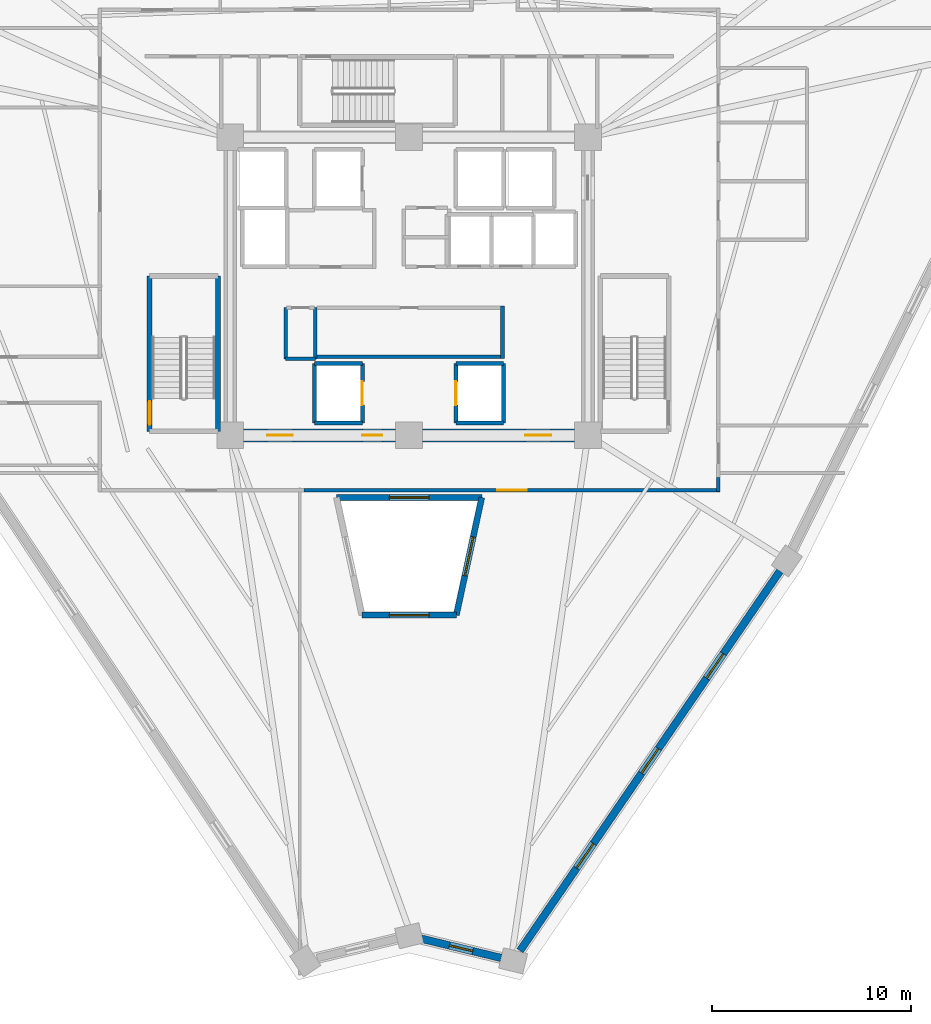
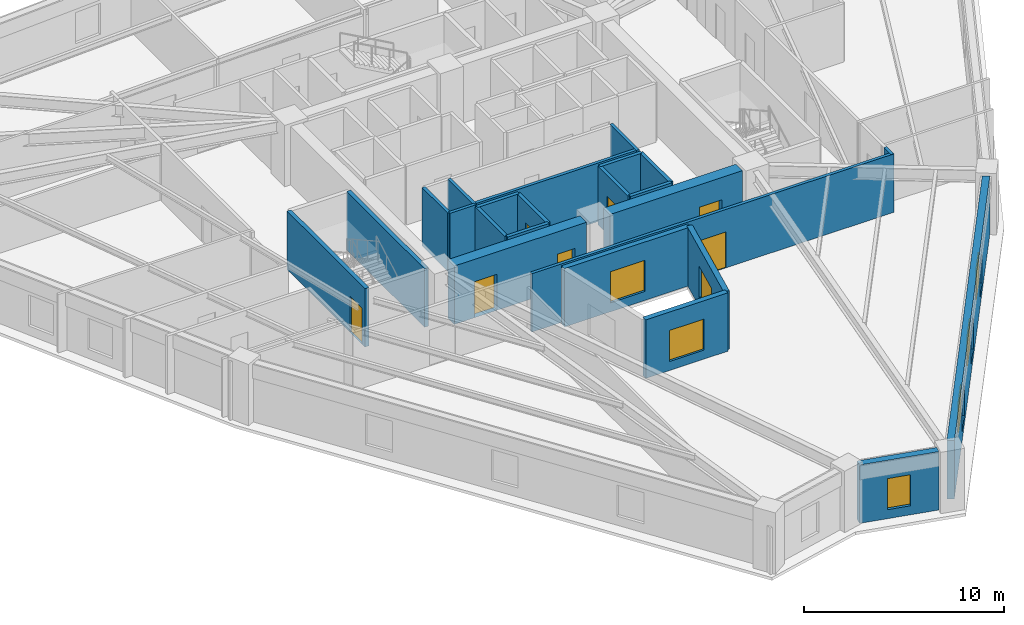
# One storey, part 3 of 8: 24 walls, 7 doors, 7 windows, 14 openings.
"""IFC4 building model written with IfcOpenShell, lengths in metres."""

import ifcopenshell
import ifcopenshell.guid

model = None  # the IFC model being written
_history = None  # IfcOwnerHistory: only IFC2X3 demands one
_inside = {}  # id of a spatial element -> (the spatial element, [elements in it])
_under = {}  # id of a project, library or spatial element -> (it, [spatial elements below it])
_declared = {}  # id of a project -> (the project, [libraries it declares])
_typed = {}  # id of a type object -> (the type object, [elements of that type])
_made_of = {}  # id of a material, layer set ... -> (it, [elements and type objects made of it])


def new_model(schema):
    """Start an empty IFC model of exactly this schema.

    Asked for "IFC4X3", IfcOpenShell would pick the latest addendum, in which some entities
    have other attributes; the version numbers below select the first issue.
    IFC2X3 requires an IfcOwnerHistory on every rooted entity: one is made here for all.
    """
    global model, _history
    if schema == "IFC4X3":
        model = ifcopenshell.file(schema_version=(4, 3, 0, 0))
    else:
        model = ifcopenshell.file(schema=schema)
    _inside.clear()
    _under.clear()
    _declared.clear()
    _typed.clear()
    _made_of.clear()
    _history = None
    if model.schema == "IFC2X3":
        org = make("IfcOrganization", Name="unknown")
        user = make(
            "IfcPersonAndOrganization",
            ThePerson=make("IfcPerson", FamilyName="unknown"),
            TheOrganization=org,
        )
        app = make(
            "IfcApplication",
            ApplicationDeveloper=org,
            Version="unknown",
            ApplicationFullName="unknown",
            ApplicationIdentifier="unknown",
        )
        _history = make(
            "IfcOwnerHistory",
            OwningUser=user,
            OwningApplication=app,
            ChangeAction="ADDED",
            CreationDate=0,
        )
    return model


def make(cls, **values):
    """One entity of the class cls with the attributes given. An attribute that is None is left unset."""
    return model.create_entity(
        cls, **{name: value for name, value in values.items() if value is not None}
    )


def rooted(cls, **values):
    """An entity with a GlobalId (a new one), such as an element, a storey or a relation."""
    return make(cls, GlobalId=ifcopenshell.guid.new(), OwnerHistory=_history, **values)


def si_unit(unit_type, name, prefix=None):
    """IfcSIUnit, for example si_unit("LENGTHUNIT", "METRE", prefix="MILLI")."""
    return make("IfcSIUnit", UnitType=unit_type, Prefix=prefix, Name=name)


def assignment(units):
    """IfcUnitAssignment: the units of a project."""
    return None if units is None else make("IfcUnitAssignment", Units=units)


def point(xyz):
    """IfcCartesianPoint."""
    return None if xyz is None else make("IfcCartesianPoint", Coordinates=xyz)


def direction(xyz):
    """IfcDirection."""
    return None if xyz is None else make("IfcDirection", DirectionRatios=xyz)


def frame(location, z_axis=None, x_axis=None):
    """IfcAxis2Placement3D, a coordinate frame: its origin and axes. An axis left out is left unset."""
    return make(
        "IfcAxis2Placement3D",
        Location=point(location),
        Axis=direction(z_axis),
        RefDirection=direction(x_axis),
    )


def frame_2d(location, x_axis=None):
    """IfcAxis2Placement2D, a coordinate frame in the plane: its origin and x axis."""
    return make(
        "IfcAxis2Placement2D", Location=point(location), RefDirection=direction(x_axis)
    )


def origin():
    """The frame at (0, 0, 0) with its axes left unset."""
    return frame((0.0, 0.0, 0.0))


def place(relative_to, where):
    """IfcLocalPlacement: puts the frame where relative to a parent placement (None: the world)."""
    return make(
        "IfcLocalPlacement", PlacementRelTo=relative_to, RelativePlacement=where
    )


def context(
    kind, dimensions, precision=None, world=None, true_north=None, identifier=None
):
    """IfcGeometricRepresentationContext, for example the 3D "Model" context."""
    return make(
        "IfcGeometricRepresentationContext",
        ContextIdentifier=identifier,
        ContextType=kind,
        CoordinateSpaceDimension=dimensions,
        Precision=precision,
        WorldCoordinateSystem=world,
        TrueNorth=true_north,
    )


def subcontext(parent, identifier, kind, view, scale=None):
    """IfcGeometricRepresentationSubContext, for example "Body" below "Model"."""
    return make(
        "IfcGeometricRepresentationSubContext",
        ContextIdentifier=identifier,
        ContextType=kind,
        ParentContext=parent,
        TargetScale=scale,
        TargetView=view,
    )


def project(units=None, contexts=None):
    """IfcProject with its units and contexts."""
    return rooted(
        "IfcProject",
        Name="project",
        RepresentationContexts=contexts,
        UnitsInContext=assignment(units),
    )


def spatial(cls, under=None, at=None, **own):
    """A site, building, storey or space (cls), placed at a placement, below another one or the project."""
    s = rooted(cls, ObjectPlacement=at, **own)
    if under is not None:
        _under.setdefault(under.id(), (under, []))[1].append(s)
    return s


def profile(cls, at=None, kind="AREA", **sizes):
    """A parametric profile (cls). Its sizes go by their IFC names, for example OverallWidth=200.0."""
    return make(cls, ProfileType=kind, Position=at, **sizes)


def rectangle(**sizes):
    """IfcRectangleProfileDef."""
    return profile("IfcRectangleProfileDef", **sizes)


def extrude(swept, where, along, depth):
    """IfcExtrudedAreaSolid: the profile swept, set in the frame where, extruded along a direction by depth."""
    return make(
        "IfcExtrudedAreaSolid",
        SweptArea=swept,
        Position=where,
        ExtrudedDirection=direction(along),
        Depth=depth,
    )


def shape(context_of_items, identifier, shape_type, items):
    """IfcShapeRepresentation: the items that make up one representation, for example the "Body"."""
    return make(
        "IfcShapeRepresentation",
        ContextOfItems=context_of_items,
        RepresentationIdentifier=identifier,
        RepresentationType=shape_type,
        Items=items,
    )


def source(mapping_origin, context_of_items, identifier, shape_type, items):
    """IfcRepresentationMap: a shape defined once, which mapped items show again and again."""
    return make(
        "IfcRepresentationMap",
        MappingOrigin=mapping_origin,
        MappedRepresentation=shape(context_of_items, identifier, shape_type, items),
    )


def transform(
    local_origin,
    x_axis=None,
    y_axis=None,
    z_axis=None,
    scale=None,
    scale2=None,
    scale3=None,
    uniform=True,
):
    """IfcCartesianTransformationOperator3D, or its non-uniform kind. x_axis, y_axis, z_axis: its Axis1, 2, 3."""
    if uniform:
        return make(
            "IfcCartesianTransformationOperator3D",
            Axis1=direction(x_axis),
            Axis2=direction(y_axis),
            LocalOrigin=point(local_origin),
            Scale=scale,
            Axis3=direction(z_axis),
        )
    return make(
        "IfcCartesianTransformationOperator3DnonUniform",
        Axis1=direction(x_axis),
        Axis2=direction(y_axis),
        LocalOrigin=point(local_origin),
        Scale=scale,
        Axis3=direction(z_axis),
        Scale2=scale2,
        Scale3=scale3,
    )


def mapped(mapping_source, mapping_target):
    """IfcMappedItem: shows the shape of a source again, moved by a transform."""
    return make(
        "IfcMappedItem", MappingSource=mapping_source, MappingTarget=mapping_target
    )


def material(Name=None, Category=None):
    """IfcMaterial."""
    return make("IfcMaterial", Name=Name, Category=Category)


def layer(
    of_material, thickness, ventilated=None, Name=None, Category=None, Priority=None
):
    """IfcMaterialLayer: one layer of a wall or slab, of a material (None: an air gap)."""
    return make(
        "IfcMaterialLayer",
        Material=of_material,
        LayerThickness=thickness,
        IsVentilated=ventilated,
        Name=Name,
        Category=Category,
        Priority=Priority,
    )


def layer_set(layers, Name=None):
    """IfcMaterialLayerSet."""
    return make("IfcMaterialLayerSet", MaterialLayers=layers, LayerSetName=Name)


def made_of(thing, what):
    """Note that an element or type object is made of a material, layer set ...; save() writes the relation."""
    if what is not None:
        _made_of.setdefault(what.id(), (what, []))[1].append(thing)
    return thing


def type_object(cls, material=None, **own):
    """A type object (cls), such as IfcWallType, which elements share."""
    return made_of(rooted(cls, **own), material)


def element(
    cls,
    number,
    at=None,
    inside=None,
    cuts=None,
    type_object=None,
    material=None,
    context=None,
    identifier="Body",
    shape_type=None,
    held_by="IfcProductDefinitionShape",
    body=None,
    shapes=None,
    **own,
):
    """One element of the class cls, such as IfcWall. Its Tag is "e" and its number.

    at: its placement. inside: the storey or other place that contains it. cuts: it is an
    opening in that element (IfcRelVoidsElement). A single representation is given by context,
    identifier, shape_type and body (its items); several are given by shapes. held_by: the class
    of the entity that holds the representations. save() writes the other relations.
    """
    e = rooted(cls, Tag="e%d" % number, ObjectPlacement=at, **own)
    if body is not None:
        shapes = [shape(context, identifier, shape_type, body)]
    if shapes is not None:
        e.Representation = make(held_by, Representations=shapes)
    if inside is not None:
        _inside.setdefault(inside.id(), (inside, []))[1].append(e)
    if cuts is not None:
        rooted(
            "IfcRelVoidsElement", RelatingBuildingElement=cuts, RelatedOpeningElement=e
        )
    if type_object is not None:
        _typed.setdefault(type_object.id(), (type_object, []))[1].append(e)
    return made_of(e, material)


def fill(opening, filler):
    """IfcRelFillsElement: the door or window that sits in an opening."""
    return rooted(
        "IfcRelFillsElement",
        RelatingOpeningElement=opening,
        RelatedBuildingElement=filler,
    )


def aggregate(whole, parts):
    """IfcRelAggregates: a whole, such as a stair, and the parts it consists of."""
    return rooted("IfcRelAggregates", RelatingObject=whole, RelatedObjects=parts)


def save(model, path):
    """Write the relations noted so far, then the file.

    IfcRelAggregates (storeys below a building ...), IfcRelContainedInSpatialStructure (elements
    in a storey), IfcRelDefinesByType, IfcRelAssociatesMaterial and IfcRelDeclares: one each for
    every whole, place, type object, material and project.
    """
    for whole, parts in _under.values():
        aggregate(whole, parts)
    for where, things in _inside.values():
        rooted(
            "IfcRelContainedInSpatialStructure",
            RelatedElements=things,
            RelatingStructure=where,
        )
    for kind, things in _typed.values():
        rooted("IfcRelDefinesByType", RelatedObjects=things, RelatingType=kind)
    for what, things in _made_of.values():
        rooted("IfcRelAssociatesMaterial", RelatedObjects=things, RelatingMaterial=what)
    for by, libraries in _declared.values():
        rooted("IfcRelDeclares", RelatingContext=by, RelatedDefinitions=libraries)
    model.write(path)


model = new_model("IFC4")

# Units and contexts
model_context = context("Model", 3, precision=1e-05, world=origin(), true_north=direction((0.0, 1.0)))
body_context = subcontext(model_context, "Body", "Model", "MODEL_VIEW")
ifc_project = project(units=[si_unit("LENGTHUNIT", "METRE"), si_unit("AREAUNIT", "SQUARE_METRE"), si_unit("VOLUMEUNIT", "CUBIC_METRE"), si_unit("PLANEANGLEUNIT", "RADIAN"), si_unit("MASSUNIT", "GRAM", prefix="KILO")], contexts=[model_context])

# Site, building, storey
site_placement = place(None, origin())
site = spatial("IfcSite", under=ifc_project, at=site_placement, CompositionType="ELEMENT")
building_placement = place(site_placement, origin())
building = spatial("IfcBuilding", under=site, at=building_placement, Name="Liaohun Quay Tower", CompositionType="ELEMENT")
storey_placement = place(building_placement, frame((0.0, 0.0, 255.0)))
storey = spatial("IfcBuildingStorey", under=building, at=storey_placement, Name="L66", CompositionType="ELEMENT", Elevation=255.0)

# Wall, opening, window
ifc_material_1 = material(Name="Concrete C50", Category="concrete")
ifc_layer_1 = layer(ifc_material_1, 0.300048828125, Name="Concrete C50", Category="concrete")
ifc_layer_set_1 = layer_set([ifc_layer_1], Name="Concrete C50")
wall_type_1 = type_object("IfcWallType", Name="WAL-ATR-300", PredefinedType="SOLIDWALL", material=ifc_layer_set_1)
wall_1_placement = place(storey_placement, frame((56.344970703125, 43.3701171875, 0.0), z_axis=(0.0, 0.0, 1.0), x_axis=(1.0, 0.0, 0.0)))
wall_1 = element("IfcWall", 1, at=wall_1_placement, inside=storey, type_object=wall_type_1, Name="L66 Atrium Fire Compartment Wall 2", PredefinedType="SOLIDWALL", context=body_context, shape_type="SweptSolid", body=[
    extrude(rectangle(XDim=7.31005859375, YDim=0.300048828125, at=frame_2d((3.655029296875, 0.0))), origin(), (0.0, 0.0, 1.0), 3.570068359375),
])
shared_shape_1 = source(origin(), body_context, "Body", "SweptSolid", [
    extrude(rectangle(XDim=2.0, YDim=1.89990234375, at=frame_2d((1.0, 0.949951171875))), frame((0.0, 0.159912109375, 0.0), z_axis=(0.0, -1.0, 0.0), x_axis=(1.0, 0.0, 0.0)), (0.0, 0.0, 1.0), 0.320068359375),
])
opening_1_placement = place(wall_1_placement, frame((2.655029296875, 0.0, 0.550048828125)))
opening_1 = element("IfcOpeningElement", 2, at=opening_1_placement, cuts=wall_1, Name="Opening W07", PredefinedType="OPENING", context=body_context, shape_type="MappedRepresentation", body=[
    mapped(shared_shape_1, transform((0.0, 0.0, 0.0), x_axis=(1.0, 0.0, 0.0), y_axis=(0.0, 1.0, 0.0), z_axis=(0.0, 0.0, 1.0), scale=1.0)),
])
ifc_material_2 = material(Name="Class A 180-min fire-resistant insulated glazing", Category="glass")
window_type_1 = type_object("IfcWindowType", Name="WIN-ATR-FIR", PartitioningType="DOUBLE_PANEL_VERTICAL", PredefinedType="WINDOW", material=ifc_material_2)
shared_shape_2 = source(origin(), body_context, "Body", "SweptSolid", [
    extrude(rectangle(XDim=2.0, YDim=1.89990234375, at=frame_2d((1.0, 0.949951171875))), frame((0.0, 0.030029296875, 0.0), z_axis=(0.0, -1.0, 0.0), x_axis=(1.0, 0.0, 0.0)), (0.0, 0.0, 1.0), 0.06005859375),
])
window_1_placement = place(opening_1_placement, origin())
window_1 = element("IfcWindow", 3, at=window_1_placement, inside=storey, type_object=window_type_1, Name="L66 Atrium Fire-Resistant Glazing W07-2", OverallHeight=1.89990234375, OverallWidth=2.0, PartitioningType="DOUBLE_PANEL_VERTICAL", PredefinedType="WINDOW", context=body_context, shape_type="MappedRepresentation", body=[
    mapped(shared_shape_2, transform((0.0, 0.0, 0.0), x_axis=(1.0, 0.0, 0.0), y_axis=(0.0, 1.0, 0.0), z_axis=(0.0, 0.0, 1.0), scale=1.0)),
])
fill(opening_1, window_1)

wall_2_placement = place(storey_placement, frame((63.655029296875, 43.3701171875, 0.0), z_axis=(0.0, 0.0, 1.0), x_axis=(-0.211319253415, -0.977417092717, 0.0)))
wall_2 = element("IfcWall", 4, at=wall_2_placement, inside=storey, type_object=wall_type_1, Name="L66 Atrium Fire Compartment Wall 3", PredefinedType="SOLIDWALL", context=body_context, shape_type="SweptSolid", body=[
    extrude(rectangle(XDim=6.052734375, YDim=0.300048828125, at=frame_2d((3.0263671875, 0.0))), origin(), (0.0, 0.0, 1.0), 3.570068359375),
])
opening_2_placement = place(wall_2_placement, frame((2.02587890625, 0.0, 0.550048828125)))
opening_2 = element("IfcOpeningElement", 5, at=opening_2_placement, cuts=wall_2, Name="Opening W07", PredefinedType="OPENING", context=body_context, shape_type="MappedRepresentation", body=[
    mapped(shared_shape_1, transform((0.0, 0.0, 0.0), x_axis=(1.0, 0.0, 0.0), y_axis=(0.0, 1.0, 0.0), z_axis=(0.0, 0.0, 1.0), scale=1.0)),
])
window_2_placement = place(opening_2_placement, origin())
window_2 = element("IfcWindow", 6, at=window_2_placement, inside=storey, type_object=window_type_1, Name="L66 Atrium Fire-Resistant Glazing W07-3", OverallHeight=1.89990234375, OverallWidth=2.0, PartitioningType="DOUBLE_PANEL_VERTICAL", PredefinedType="WINDOW", context=body_context, shape_type="MappedRepresentation", body=[
    mapped(shared_shape_2, transform((0.0, 0.0, 0.0), x_axis=(1.0, 0.0, 0.0), y_axis=(0.0, 1.0, 0.0), z_axis=(0.0, 0.0, 1.0), scale=1.0)),
])
fill(opening_2, window_2)

wall_3_placement = place(storey_placement, frame((62.3759765625, 37.4541015625, 0.0), z_axis=(0.0, 0.0, 1.0), x_axis=(-1.0, 0.0, 0.0)))
wall_3 = element("IfcWall", 7, at=wall_3_placement, inside=storey, type_object=wall_type_1, Name="L66 Atrium Fire Compartment Wall 4", PredefinedType="SOLIDWALL", context=body_context, shape_type="SweptSolid", body=[
    extrude(rectangle(XDim=4.751953125, YDim=0.300048828125, at=frame_2d((2.3759765625, 0.0))), origin(), (0.0, 0.0, 1.0), 3.570068359375),
])
opening_3_placement = place(wall_3_placement, frame((1.3759765625, 0.0, 0.550048828125)))
opening_3 = element("IfcOpeningElement", 8, at=opening_3_placement, cuts=wall_3, Name="Opening W07", PredefinedType="OPENING", context=body_context, shape_type="MappedRepresentation", body=[
    mapped(shared_shape_1, transform((0.0, 0.0, 0.0), x_axis=(1.0, 0.0, 0.0), y_axis=(0.0, 1.0, 0.0), z_axis=(0.0, 0.0, 1.0), scale=1.0)),
])
window_3_placement = place(opening_3_placement, origin())
window_3 = element("IfcWindow", 9, at=window_3_placement, inside=storey, type_object=window_type_1, Name="L66 Atrium Fire-Resistant Glazing W07-4", OverallHeight=1.89990234375, OverallWidth=2.0, PartitioningType="DOUBLE_PANEL_VERTICAL", PredefinedType="WINDOW", context=body_context, shape_type="MappedRepresentation", body=[
    mapped(shared_shape_2, transform((0.0, 0.0, 0.0), x_axis=(1.0, 0.0, 0.0), y_axis=(0.0, 1.0, 0.0), z_axis=(0.0, 0.0, 1.0), scale=1.0)),
])
fill(opening_3, window_3)

# Wall, opening, door
ifc_material_3 = material(Name="Concrete C55", Category="concrete")
ifc_layer_2 = layer(ifc_material_3, 0.64990234375, Name="Concrete C55", Category="concrete")
ifc_layer_set_2 = layer_set([ifc_layer_2], Name="Concrete C55")
wall_type_2 = type_object("IfcWallType", Name="WAL-COR-Z3", PredefinedType="SHEAR", material=ifc_layer_set_2)
wall_4_placement = place(storey_placement, frame((68.324951171875, 46.5, 0.0), z_axis=(0.0, 0.0, 1.0), x_axis=(-1.0, 0.0, 0.0)))
wall_4 = element("IfcWall", 10, at=wall_4_placement, inside=storey, type_object=wall_type_2, Name="L66 Central Core Shear Wall S-E", PredefinedType="SHEAR", context=body_context, shape_type="SweptSolid", body=[
    extrude(rectangle(XDim=7.64990234375, YDim=0.64990234375, at=frame_2d((3.824951171875, 0.0))), origin(), (0.0, 0.0, 1.0), 3.570068359375),
])
shared_shape_3 = source(origin(), body_context, "Body", "SweptSolid", [
    extrude(rectangle(XDim=1.300048828125, YDim=2.199951171875, at=frame_2d((0.64990234375, 1.10009765625))), frame((0.0, 0.3349609375, 0.0), z_axis=(0.0, -1.0, 0.0), x_axis=(1.0, 0.0, 0.0)), (0.0, 0.0, 1.0), 0.669921875),
])
opening_4_placement = place(wall_4_placement, frame((1.175048828125, 0.0, 0.0)))
opening_4 = element("IfcOpeningElement", 11, at=opening_4_placement, cuts=wall_4, Name="Opening FD1", PredefinedType="OPENING", context=body_context, shape_type="MappedRepresentation", body=[
    mapped(shared_shape_3, transform((0.0, 0.0, 0.0), x_axis=(1.0, 0.0, 0.0), y_axis=(0.0, 1.0, 0.0), z_axis=(0.0, 0.0, 1.0), scale=1.0)),
])
ifc_material_4 = material(Name="Galvanised steel smokeproof fire door", Category="steel")
door_type_1 = type_object("IfcDoorType", Name="DOR-FFL-1300", OperationType="NOTDEFINED", PredefinedType="DOOR", material=ifc_material_4)
shared_shape_4 = source(origin(), body_context, "Body", "SweptSolid", [
    extrude(rectangle(XDim=1.300048828125, YDim=2.199951171875, at=frame_2d((0.64990234375, 1.10009765625))), frame((0.0, 0.02490234375, 0.0), z_axis=(0.0, -1.0, 0.0), x_axis=(1.0, 0.0, 0.0)), (0.0, 0.0, 1.0), 0.050048828125),
])
door_1_placement = place(opening_4_placement, origin())
door_1 = element("IfcDoor", 12, at=door_1_placement, inside=storey, type_object=door_type_1, Name="L66 East Core Lift Lobby Smokeproof Door", OperationType="SINGLE_SWING_LEFT", OverallHeight=2.199951171875, OverallWidth=1.300048828125, PredefinedType="DOOR", context=body_context, shape_type="MappedRepresentation", body=[
    mapped(shared_shape_4, transform((0.0, 0.0, 0.0), x_axis=(1.0, 0.0, 0.0), y_axis=(0.0, 1.0, 0.0), z_axis=(0.0, 0.0, 1.0), scale=1.0)),
])
fill(opening_4, door_1)

# Wall, openings, doors
wall_5_placement = place(storey_placement, frame((59.324951171875, 46.5, 0.0), z_axis=(0.0, 0.0, 1.0), x_axis=(-1.0, 0.0, 0.0)))
wall_5 = element("IfcWall", 13, at=wall_5_placement, inside=storey, type_object=wall_type_2, Name="L66 Central Core Shear Wall S-W", PredefinedType="SHEAR", context=body_context, shape_type="SweptSolid", body=[
    extrude(rectangle(XDim=7.64990234375, YDim=0.64990234375, at=frame_2d((3.824951171875, 0.0))), origin(), (0.0, 0.0, 1.0), 3.570068359375),
])
opening_5_placement = place(wall_5_placement, frame((5.175048828125, 0.0, 0.0)))
opening_5 = element("IfcOpeningElement", 14, at=opening_5_placement, cuts=wall_5, Name="Opening FD1", PredefinedType="OPENING", context=body_context, shape_type="MappedRepresentation", body=[
    mapped(shared_shape_3, transform((0.0, 0.0, 0.0), x_axis=(1.0, 0.0, 0.0), y_axis=(0.0, 1.0, 0.0), z_axis=(0.0, 0.0, 1.0), scale=1.0)),
])
shared_shape_5 = source(origin(), body_context, "Body", "SweptSolid", [
    extrude(rectangle(XDim=1.0, YDim=2.199951171875, at=frame_2d((0.5, 1.10009765625))), frame((0.0, 0.3349609375, 0.0), z_axis=(0.0, -1.0, 0.0), x_axis=(1.0, 0.0, 0.0)), (0.0, 0.0, 1.0), 0.669921875),
])
opening_6_placement = place(wall_5_placement, frame((0.675048828125, 0.0, 0.0)))
opening_6 = element("IfcOpeningElement", 15, at=opening_6_placement, cuts=wall_5, Name="Opening FD2", PredefinedType="OPENING", context=body_context, shape_type="MappedRepresentation", body=[
    mapped(shared_shape_5, transform((0.0, 0.0, 0.0), x_axis=(1.0, 0.0, 0.0), y_axis=(0.0, 1.0, 0.0), z_axis=(0.0, 0.0, 1.0), scale=1.0)),
])
door_2_placement = place(opening_5_placement, origin())
door_2 = element("IfcDoor", 16, at=door_2_placement, inside=storey, type_object=door_type_1, Name="L66 West Core Lift Lobby Smokeproof Door", OperationType="SINGLE_SWING_RIGHT", OverallHeight=2.199951171875, OverallWidth=1.300048828125, PredefinedType="DOOR", context=body_context, shape_type="MappedRepresentation", body=[
    mapped(shared_shape_4, transform((0.0, 0.0, 0.0), x_axis=(1.0, 0.0, 0.0), y_axis=(0.0, 1.0, 0.0), z_axis=(0.0, 0.0, 1.0), scale=1.0)),
])
fill(opening_5, door_2)
ifc_material_5 = material(Name="Galvanised steel smokeproof lobby fire door", Category="steel")
door_type_2 = type_object("IfcDoorType", Name="DOR-FFL-1000", OperationType="NOTDEFINED", PredefinedType="DOOR", material=ifc_material_5)
shared_shape_6 = source(origin(), body_context, "Body", "SweptSolid", [
    extrude(rectangle(XDim=1.0, YDim=2.199951171875, at=frame_2d((0.5, 1.10009765625))), frame((0.0, 0.02490234375, 0.0), z_axis=(0.0, -1.0, 0.0), x_axis=(1.0, 0.0, 0.0)), (0.0, 0.0, 1.0), 0.050048828125),
])
door_3_placement = place(opening_6_placement, origin())
door_3 = element("IfcDoor", 17, at=door_3_placement, inside=storey, type_object=door_type_2, Name="L66 South Firefighting Lobby Smokeproof Door", OperationType="SINGLE_SWING_LEFT", OverallHeight=2.199951171875, OverallWidth=1.0, PredefinedType="DOOR", context=body_context, shape_type="MappedRepresentation", body=[
    mapped(shared_shape_6, transform((0.0, 0.0, 0.0), x_axis=(1.0, 0.0, 0.0), y_axis=(0.0, 1.0, 0.0), z_axis=(0.0, 0.0, 1.0), scale=1.0)),
])
fill(opening_6, door_3)

# Wall, opening, window
ifc_material_6 = material(Name="Precast concrete C50 insulated sandwich", Category="concrete")
ifc_layer_3 = layer(ifc_material_6, 0.3798828125, Name="Precast concrete C50 insulated sandwich", Category="concrete")
ifc_layer_set_3 = layer_set([ifc_layer_3], Name="Precast concrete C50 insulated sandwich")
wall_type_3 = type_object("IfcWallType", Name="WAL-EXT-Z34", PredefinedType="SOLIDWALL", material=ifc_layer_set_3)
wall_6_placement = place(storey_placement, frame((60.597900390625, 21.177001953125, 0.0), z_axis=(0.0, 0.0, 1.0), x_axis=(0.972035019056, -0.234835946414, 0.0)))
wall_6 = element("IfcWall", 18, at=wall_6_placement, inside=storey, type_object=wall_type_3, Name="L66 Brutalist Precast Pier Wall 01", PredefinedType="SOLIDWALL", context=body_context, shape_type="SweptSolid", body=[
    extrude(rectangle(XDim=4.15234375, YDim=0.3798828125, at=frame_2d((2.076171875, 0.0))), origin(), (0.0, 0.0, 1.0), 3.570068359375),
])
shared_shape_7 = source(origin(), body_context, "Body", "SweptSolid", [
    extrude(rectangle(XDim=1.199951171875, YDim=1.89990234375, at=frame_2d((0.60009765625, 0.949951171875))), frame((0.0, 0.199951171875, 0.0), z_axis=(0.0, -1.0, 0.0), x_axis=(1.0, 0.0, 0.0)), (0.0, 0.0, 1.0), 0.39990234375),
])
opening_7_placement = place(wall_6_placement, frame((1.47607421875, 0.0, 0.550048828125)))
opening_7 = element("IfcOpeningElement", 19, at=opening_7_placement, cuts=wall_6, Name="Opening W05", PredefinedType="OPENING", context=body_context, shape_type="MappedRepresentation", body=[
    mapped(shared_shape_7, transform((0.0, 0.0, 0.0), x_axis=(1.0, 0.0, 0.0), y_axis=(0.0, 1.0, 0.0), z_axis=(0.0, 0.0, 1.0), scale=1.0)),
])
ifc_material_7 = material(Name="Triple Low-E corner notch glazing", Category="glass")
window_type_2 = type_object("IfcWindowType", Name="WIN-NOTCH", PartitioningType="SINGLE_PANEL", PredefinedType="WINDOW", material=ifc_material_7)
shared_shape_8 = source(origin(), body_context, "Body", "SweptSolid", [
    extrude(rectangle(XDim=1.199951171875, YDim=1.89990234375, at=frame_2d((0.60009765625, 0.949951171875))), frame((0.0, 0.030029296875, 0.0), z_axis=(0.0, -1.0, 0.0), x_axis=(1.0, 0.0, 0.0)), (0.0, 0.0, 1.0), 0.06005859375),
])
window_4_placement = place(opening_7_placement, origin())
window_4 = element("IfcWindow", 20, at=window_4_placement, inside=storey, type_object=window_type_2, Name="L66 Corner Notch Window W05-01", OverallHeight=1.89990234375, OverallWidth=1.199951171875, PartitioningType="SINGLE_PANEL", PredefinedType="WINDOW", context=body_context, shape_type="MappedRepresentation", body=[
    mapped(shared_shape_8, transform((0.0, 0.0, 0.0), x_axis=(1.0, 0.0, 0.0), y_axis=(0.0, 1.0, 0.0), z_axis=(0.0, 0.0, 1.0), scale=1.0)),
])
fill(opening_7, window_4)

# Wall, openings, windows
wall_7_placement = place(storey_placement, frame((65.5791015625, 20.56494140625, 0.0), z_axis=(0.0, 0.0, 1.0), x_axis=(0.564873617439, 0.825177433235, 0.0)))
wall_7 = element("IfcWall", 21, at=wall_7_placement, inside=storey, type_object=wall_type_3, Name="L66 Brutalist Precast Pier Wall 02", PredefinedType="SOLIDWALL", context=body_context, shape_type="SweptSolid", body=[
    extrude(rectangle(XDim=23.15869140625, YDim=0.3798828125, at=frame_2d((11.579345703125, 0.0))), origin(), (0.0, 0.0, 1.0), 3.570068359375),
])
shared_shape_9 = source(origin(), body_context, "Body", "SweptSolid", [
    extrude(rectangle(XDim=1.5, YDim=1.89990234375, at=frame_2d((0.75, 0.949951171875))), frame((0.0, 0.199951171875, 0.0), z_axis=(0.0, -1.0, 0.0), x_axis=(1.0, 0.0, 0.0)), (0.0, 0.0, 1.0), 0.39990234375),
])
opening_8_placement = place(wall_7_placement, frame((5.0400390625, 0.0, 0.550048828125)))
opening_8 = element("IfcOpeningElement", 22, at=opening_8_placement, cuts=wall_7, Name="Opening W03", PredefinedType="OPENING", context=body_context, shape_type="MappedRepresentation", body=[
    mapped(shared_shape_9, transform((0.0, 0.0, 0.0), x_axis=(1.0, 0.0, 0.0), y_axis=(0.0, 1.0, 0.0), z_axis=(0.0, 0.0, 1.0), scale=1.0)),
])
opening_9_placement = place(wall_7_placement, frame((10.8291015625, 0.0, 0.550048828125)))
opening_9 = element("IfcOpeningElement", 23, at=opening_9_placement, cuts=wall_7, Name="Opening W03", PredefinedType="OPENING", context=body_context, shape_type="MappedRepresentation", body=[
    mapped(shared_shape_9, transform((0.0, 0.0, 0.0), x_axis=(1.0, 0.0, 0.0), y_axis=(0.0, 1.0, 0.0), z_axis=(0.0, 0.0, 1.0), scale=1.0)),
])
opening_10_placement = place(wall_7_placement, frame((16.618896484375, 0.0, 0.550048828125)))
opening_10 = element("IfcOpeningElement", 24, at=opening_10_placement, cuts=wall_7, Name="Opening W03", PredefinedType="OPENING", context=body_context, shape_type="MappedRepresentation", body=[
    mapped(shared_shape_9, transform((0.0, 0.0, 0.0), x_axis=(1.0, 0.0, 0.0), y_axis=(0.0, 1.0, 0.0), z_axis=(0.0, 0.0, 1.0), scale=1.0)),
])
ifc_material_8 = material(Name="Triple Low-E argon glazing in thermally broken aluminium", Category="aluminium")
window_type_3 = type_object("IfcWindowType", Name="WIN-PUN-Z3", PartitioningType="DOUBLE_PANEL_VERTICAL", PredefinedType="WINDOW", material=ifc_material_8)
shared_shape_10 = source(origin(), body_context, "Body", "SweptSolid", [
    extrude(rectangle(XDim=1.5, YDim=1.89990234375, at=frame_2d((0.75, 0.949951171875))), frame((0.0, 0.030029296875, 0.0), z_axis=(0.0, -1.0, 0.0), x_axis=(1.0, 0.0, 0.0)), (0.0, 0.0, 1.0), 0.06005859375),
])
window_5_placement = place(opening_8_placement, origin())
window_5 = element("IfcWindow", 25, at=window_5_placement, inside=storey, type_object=window_type_3, Name="L66 Recessed Cold-Climate Punched Window 02-1", OverallHeight=1.89990234375, OverallWidth=1.5, PartitioningType="DOUBLE_PANEL_VERTICAL", PredefinedType="WINDOW", context=body_context, shape_type="MappedRepresentation", body=[
    mapped(shared_shape_10, transform((0.0, 0.0, 0.0), x_axis=(1.0, 0.0, 0.0), y_axis=(0.0, 1.0, 0.0), z_axis=(0.0, 0.0, 1.0), scale=1.0)),
])
fill(opening_8, window_5)
window_6_placement = place(opening_9_placement, origin())
window_6 = element("IfcWindow", 26, at=window_6_placement, inside=storey, type_object=window_type_3, Name="L66 Recessed Cold-Climate Punched Window 02-2", OverallHeight=1.89990234375, OverallWidth=1.5, PartitioningType="DOUBLE_PANEL_VERTICAL", PredefinedType="WINDOW", context=body_context, shape_type="MappedRepresentation", body=[
    mapped(shared_shape_10, transform((0.0, 0.0, 0.0), x_axis=(1.0, 0.0, 0.0), y_axis=(0.0, 1.0, 0.0), z_axis=(0.0, 0.0, 1.0), scale=1.0)),
])
fill(opening_9, window_6)
window_7_placement = place(opening_10_placement, origin())
window_7 = element("IfcWindow", 27, at=window_7_placement, inside=storey, type_object=window_type_3, Name="L66 Recessed Cold-Climate Punched Window 02-3", OverallHeight=1.89990234375, OverallWidth=1.5, PartitioningType="DOUBLE_PANEL_VERTICAL", PredefinedType="WINDOW", context=body_context, shape_type="MappedRepresentation", body=[
    mapped(shared_shape_10, transform((0.0, 0.0, 0.0), x_axis=(1.0, 0.0, 0.0), y_axis=(0.0, 1.0, 0.0), z_axis=(0.0, 0.0, 1.0), scale=1.0)),
])
fill(opening_10, window_7)

# Wall, opening, door
ifc_material_9 = material(Name="Autoclaved aerated concrete blockwork", Category="masonry")
ifc_layer_4 = layer(ifc_material_9, 0.179931640625, Name="Autoclaved aerated concrete blockwork", Category="masonry")
ifc_layer_set_4 = layer_set([ifc_layer_4], Name="Autoclaved aerated concrete blockwork")
wall_type_4 = type_object("IfcWallType", Name="WAL-PRT-COR", PredefinedType="PARTITIONING", material=ifc_layer_set_4)
wall_8_placement = place(storey_placement, frame((75.6298828125, 43.739990234375, 0.0), z_axis=(0.0, 0.0, 1.0), x_axis=(-1.0, 0.0, 0.0)))
wall_8 = element("IfcWall", 28, at=wall_8_placement, inside=storey, type_object=wall_type_4, Name="L66 Interior Partition Wall 027", PredefinedType="PARTITIONING", context=body_context, shape_type="SweptSolid", body=[
    extrude(rectangle(XDim=20.914794921875, YDim=0.179931640625, at=frame_2d((10.45751953125, 0.0))), origin(), (0.0, 0.0, 1.0), 3.570068359375),
])
shared_shape_11 = source(origin(), body_context, "Body", "SweptSolid", [
    extrude(rectangle(XDim=1.5, YDim=2.199951171875, at=frame_2d((0.75, 1.10009765625))), frame((0.0, 0.099853515625, 0.0), z_axis=(0.0, -1.0, 0.0), x_axis=(1.0, 0.0, 0.0)), (0.0, 0.0, 1.0), 0.199951171875),
])
opening_11_placement = place(wall_8_placement, frame((9.70703125, 0.0, 0.0)))
opening_11 = element("IfcOpeningElement", 29, at=opening_11_placement, cuts=wall_8, Name="Opening OD2", PredefinedType="OPENING", context=body_context, shape_type="MappedRepresentation", body=[
    mapped(shared_shape_11, transform((0.0, 0.0, 0.0), x_axis=(1.0, 0.0, 0.0), y_axis=(0.0, 1.0, 0.0), z_axis=(0.0, 0.0, 1.0), scale=1.0)),
])
ifc_material_10 = material(Name="Acoustic oak veneer double door")
door_type_3 = type_object("IfcDoorType", Name="DOR-OFF-1500", OperationType="DOUBLE_DOOR_SINGLE_SWING", PredefinedType="DOOR", material=ifc_material_10)
shared_shape_12 = source(origin(), body_context, "Body", "SweptSolid", [
    extrude(rectangle(XDim=1.5, YDim=2.199951171875, at=frame_2d((0.75, 1.10009765625))), frame((0.0, 0.02490234375, 0.0), z_axis=(0.0, -1.0, 0.0), x_axis=(1.0, 0.0, 0.0)), (0.0, 0.0, 1.0), 0.050048828125),
])
door_4_placement = place(opening_11_placement, origin())
door_4 = element("IfcDoor", 30, at=door_4_placement, inside=storey, type_object=door_type_3, Name="L66 Client Reception Office 12 Door", OperationType="DOUBLE_DOOR_SINGLE_SWING", OverallHeight=2.199951171875, OverallWidth=1.5, PredefinedType="DOOR", context=body_context, shape_type="MappedRepresentation", body=[
    mapped(shared_shape_12, transform((0.0, 0.0, 0.0), x_axis=(1.0, 0.0, 0.0), y_axis=(0.0, 1.0, 0.0), z_axis=(0.0, 0.0, 1.0), scale=1.0)),
])
fill(opening_11, door_4)

# Walls
wall_9_placement = place(storey_placement, frame((53.7900390625, 50.35009765625, 0.0), z_axis=(0.0, 0.0, 1.0), x_axis=(0.0, 1.0, 0.0)))
element("IfcWall", 31, at=wall_9_placement, inside=storey, type_object=wall_type_4, Name="L66 Interior Partition Wall 032", PredefinedType="PARTITIONING", context=body_context, shape_type="SweptSolid", body=[
    extrude(rectangle(XDim=2.56982421875, YDim=0.179931640625, at=frame_2d((1.284912109375, 0.0))), origin(), (0.0, 0.0, 1.0), 3.570068359375),
])
wall_10_placement = place(storey_placement, frame((53.7900390625, 50.35009765625, 0.0), z_axis=(0.0, 0.0, 1.0), x_axis=(1.0, 0.0, 0.0)))
element("IfcWall", 32, at=wall_10_placement, inside=storey, type_object=wall_type_4, Name="L66 Interior Partition Wall 033", PredefinedType="PARTITIONING", context=body_context, shape_type="SweptSolid", body=[
    extrude(rectangle(XDim=1.489990234375, YDim=0.179931640625, at=frame_2d((0.7451171875, 0.0))), origin(), (0.0, 0.0, 1.0), 3.570068359375),
])
wall_11_placement = place(storey_placement, frame((55.280029296875, 50.35009765625, 0.0), z_axis=(0.0, 0.0, 1.0), x_axis=(0.0, 1.0, 0.0)))
element("IfcWall", 33, at=wall_11_placement, inside=storey, type_object=wall_type_4, Name="L66 Interior Partition Wall 034", PredefinedType="PARTITIONING", context=body_context, shape_type="SweptSolid", body=[
    extrude(rectangle(XDim=2.56982421875, YDim=0.179931640625, at=frame_2d((1.284912109375, 0.0))), origin(), (0.0, 0.0, 1.0), 3.570068359375),
])
wall_12_placement = place(storey_placement, frame((75.56005859375, 44.385009765625, 0.0), z_axis=(0.0, 0.0, 1.0), x_axis=(0.0, -1.0, 0.0)))
element("IfcWall", 34, at=wall_12_placement, inside=storey, type_object=wall_type_4, Name="L66 Interior Partition Wall 053", PredefinedType="PARTITIONING", context=body_context, shape_type="SweptSolid", body=[
    extrude(rectangle(XDim=0.715087890625, YDim=0.179931640625, at=frame_2d((0.357421875, 0.0))), origin(), (0.0, 0.0, 1.0), 3.570068359375),
])
wall_13_placement = place(storey_placement, frame((64.699951171875, 50.360107421875, 0.0), z_axis=(0.0, 0.0, 1.0), x_axis=(0.0, 1.0, 0.0)))
element("IfcWall", 35, at=wall_13_placement, inside=storey, type_object=wall_type_4, Name="L66 Interior Partition Wall 066", PredefinedType="PARTITIONING", context=body_context, shape_type="SweptSolid", body=[
    extrude(rectangle(XDim=2.64990234375, YDim=0.179931640625, at=frame_2d((1.324951171875, 0.0))), origin(), (0.0, 0.0, 1.0), 3.570068359375),
])
wall_14_placement = place(storey_placement, frame((55.3701171875, 50.449951171875, 0.0), z_axis=(0.0, 0.0, 1.0), x_axis=(1.0, 0.0, 0.0)))
element("IfcWall", 36, at=wall_14_placement, inside=storey, type_object=wall_type_4, Name="L66 Interior Partition Wall 067", PredefinedType="PARTITIONING", context=body_context, shape_type="SweptSolid", body=[
    extrude(rectangle(XDim=9.239990234375, YDim=0.179931640625, at=frame_2d((4.6201171875, 0.0))), origin(), (0.0, 0.0, 1.0), 3.570068359375),
])
ifc_layer_5 = layer(ifc_material_1, 0.239990234375, Name="Concrete C50", Category="concrete")
ifc_layer_set_5 = layer_set([ifc_layer_5], Name="Concrete C50")
wall_type_5 = type_object("IfcWallType", Name="WAL-SHF-200", PredefinedType="SOLIDWALL", material=ifc_layer_set_5)
wall_15_placement = place(storey_placement, frame((50.3798828125, 46.699951171875, 0.0), z_axis=(0.0, 0.0, 1.0), x_axis=(0.0, 1.0, 0.0)))
element("IfcWall", 37, at=wall_15_placement, inside=storey, type_object=wall_type_5, Name="L66 Stairwell ST-1 Structural Core Wall E", PredefinedType="SOLIDWALL", context=body_context, shape_type="SweptSolid", body=[
    extrude(rectangle(XDim=7.820068359375, YDim=0.239990234375, at=frame_2d((3.91015625, 0.0))), origin(), (0.0, 0.0, 1.0), 3.570068359375),
])

# Wall, opening, door
wall_16_placement = place(storey_placement, frame((46.93994140625, 54.52001953125, 0.0), z_axis=(0.0, 0.0, 1.0), x_axis=(0.0, -1.0, 0.0)))
wall_16 = element("IfcWall", 38, at=wall_16_placement, inside=storey, type_object=wall_type_5, Name="L66 Stairwell ST-1 Structural Core Wall W", PredefinedType="SOLIDWALL", context=body_context, shape_type="SweptSolid", body=[
    extrude(rectangle(XDim=7.820068359375, YDim=0.239990234375, at=frame_2d((3.91015625, 0.0))), origin(), (0.0, 0.0, 1.0), 3.570068359375),
])
shared_shape_13 = source(origin(), body_context, "Body", "SweptSolid", [
    extrude(rectangle(XDim=1.199951171875, YDim=2.199951171875, at=frame_2d((0.60009765625, 1.10009765625))), frame((0.0, 0.1298828125, 0.0), z_axis=(0.0, -1.0, 0.0), x_axis=(1.0, 0.0, 0.0)), (0.0, 0.0, 1.0), 0.260009765625),
])
opening_12_placement = place(wall_16_placement, frame((6.300048828125, 0.0, 0.0)))
opening_12 = element("IfcOpeningElement", 39, at=opening_12_placement, cuts=wall_16, Name="Opening SD1", PredefinedType="OPENING", context=body_context, shape_type="MappedRepresentation", body=[
    mapped(shared_shape_13, transform((0.0, 0.0, 0.0), x_axis=(1.0, 0.0, 0.0), y_axis=(0.0, 1.0, 0.0), z_axis=(0.0, 0.0, 1.0), scale=1.0)),
])
ifc_material_11 = material(Name="Galvanised steel fire door", Category="steel")
door_type_4 = type_object("IfcDoorType", Name="DOR-STR-1200", OperationType="NOTDEFINED", PredefinedType="DOOR", material=ifc_material_11)
shared_shape_14 = source(origin(), body_context, "Body", "SweptSolid", [
    extrude(rectangle(XDim=1.199951171875, YDim=2.199951171875, at=frame_2d((0.60009765625, 1.10009765625))), frame((0.0, 0.02490234375, 0.0), z_axis=(0.0, -1.0, 0.0), x_axis=(1.0, 0.0, 0.0)), (0.0, 0.0, 1.0), 0.050048828125),
])
door_5_placement = place(opening_12_placement, origin())
door_5 = element("IfcDoor", 40, at=door_5_placement, inside=storey, type_object=door_type_4, Name="L66 Protected Stair ST-1 Fire Door", OperationType="SINGLE_SWING_LEFT", OverallHeight=2.199951171875, OverallWidth=1.199951171875, PredefinedType="DOOR", context=body_context, shape_type="MappedRepresentation", body=[
    mapped(shared_shape_14, transform((0.0, 0.0, 0.0), x_axis=(1.0, 0.0, 0.0), y_axis=(0.0, 1.0, 0.0), z_axis=(0.0, 0.0, 1.0), scale=1.0)),
])
fill(opening_12, door_5)

# Wall
wall_17_placement = place(storey_placement, frame((55.25, 47.1201171875, 0.0), z_axis=(0.0, 0.0, 1.0), x_axis=(1.0, 0.0, 0.0)))
element("IfcWall", 41, at=wall_17_placement, inside=storey, type_object=wall_type_5, Name="L66 Lift FF-01 Hoistway Wall S", PredefinedType="SOLIDWALL", context=body_context, shape_type="SweptSolid", body=[
    extrude(rectangle(XDim=2.39990234375, YDim=0.199951171875, at=frame_2d((1.199951171875, 0.0))), origin(), (0.0, 0.0, 1.0), 3.570068359375),
])

# Wall, opening, door
wall_18_placement = place(storey_placement, frame((57.64990234375, 47.1201171875, 0.0), z_axis=(0.0, 0.0, 1.0), x_axis=(0.0, 1.0, 0.0)))
wall_18 = element("IfcWall", 42, at=wall_18_placement, inside=storey, type_object=wall_type_5, Name="L66 Lift FF-01 Hoistway Wall E", PredefinedType="SOLIDWALL", context=body_context, shape_type="SweptSolid", body=[
    extrude(rectangle(XDim=3.0, YDim=0.199951171875, at=frame_2d((1.5, 0.0))), origin(), (0.0, 0.0, 1.0), 3.570068359375),
])
shared_shape_15 = source(origin(), body_context, "Body", "SweptSolid", [
    extrude(rectangle(XDim=1.199951171875, YDim=2.300048828125, at=frame_2d((0.60009765625, 1.14990234375))), frame((0.0, 0.10986328125, 0.0), z_axis=(0.0, -1.0, 0.0), x_axis=(1.0, 0.0, 0.0)), (0.0, 0.0, 1.0), 0.219970703125),
])
opening_13_placement = place(wall_18_placement, frame((0.89990234375, 0.0, 0.0)))
opening_13 = element("IfcOpeningElement", 43, at=opening_13_placement, cuts=wall_18, Name="Opening LD2", PredefinedType="OPENING", context=body_context, shape_type="MappedRepresentation", body=[
    mapped(shared_shape_15, transform((0.0, 0.0, 0.0), x_axis=(1.0, 0.0, 0.0), y_axis=(0.0, 1.0, 0.0), z_axis=(0.0, 0.0, 1.0), scale=1.0)),
])
ifc_material_12 = material(Name="Brushed stainless steel stretcher landing door", Category="steel")
door_type_5 = type_object("IfcDoorType", Name="DOR-LFT-1200", OperationType="SLIDING_TO_LEFT", PredefinedType="DOOR", material=ifc_material_12)
shared_shape_16 = source(origin(), body_context, "Body", "SweptSolid", [
    extrude(rectangle(XDim=1.199951171875, YDim=2.300048828125, at=frame_2d((0.60009765625, 1.14990234375))), frame((0.0, 0.02490234375, 0.0), z_axis=(0.0, -1.0, 0.0), x_axis=(1.0, 0.0, 0.0)), (0.0, 0.0, 1.0), 0.050048828125),
])
door_6_placement = place(opening_13_placement, origin())
door_6 = element("IfcDoor", 44, at=door_6_placement, inside=storey, type_object=door_type_5, Name="L66 Lift FF-01 Sliding Landing Door", OperationType="SLIDING_TO_LEFT", OverallHeight=2.300048828125, OverallWidth=1.199951171875, PredefinedType="DOOR", context=body_context, shape_type="MappedRepresentation", body=[
    mapped(shared_shape_16, transform((0.0, 0.0, 0.0), x_axis=(1.0, 0.0, 0.0), y_axis=(0.0, 1.0, 0.0), z_axis=(0.0, 0.0, 1.0), scale=1.0)),
])
fill(opening_13, door_6)

# Walls
wall_19_placement = place(storey_placement, frame((57.64990234375, 50.1201171875, 0.0), z_axis=(0.0, 0.0, 1.0), x_axis=(-1.0, 0.0, 0.0)))
element("IfcWall", 45, at=wall_19_placement, inside=storey, type_object=wall_type_5, Name="L66 Lift FF-01 Hoistway Wall N", PredefinedType="SOLIDWALL", context=body_context, shape_type="SweptSolid", body=[
    extrude(rectangle(XDim=2.39990234375, YDim=0.199951171875, at=frame_2d((1.199951171875, 0.0))), origin(), (0.0, 0.0, 1.0), 3.570068359375),
])
wall_20_placement = place(storey_placement, frame((55.25, 50.1201171875, 0.0), z_axis=(0.0, 0.0, 1.0), x_axis=(0.0, -1.0, 0.0)))
element("IfcWall", 46, at=wall_20_placement, inside=storey, type_object=wall_type_5, Name="L66 Lift FF-01 Hoistway Wall W", PredefinedType="SOLIDWALL", context=body_context, shape_type="SweptSolid", body=[
    extrude(rectangle(XDim=3.0, YDim=0.199951171875, at=frame_2d((1.5, 0.0))), origin(), (0.0, 0.0, 1.0), 3.570068359375),
])
wall_21_placement = place(storey_placement, frame((62.35009765625, 47.1201171875, 0.0), z_axis=(0.0, 0.0, 1.0), x_axis=(1.0, 0.0, 0.0)))
element("IfcWall", 47, at=wall_21_placement, inside=storey, type_object=wall_type_5, Name="L66 Lift FF-02 Hoistway Wall S", PredefinedType="SOLIDWALL", context=body_context, shape_type="SweptSolid", body=[
    extrude(rectangle(XDim=2.39990234375, YDim=0.199951171875, at=frame_2d((1.199951171875, 0.0))), origin(), (0.0, 0.0, 1.0), 3.570068359375),
])
wall_22_placement = place(storey_placement, frame((64.75, 47.1201171875, 0.0), z_axis=(0.0, 0.0, 1.0), x_axis=(0.0, 1.0, 0.0)))
element("IfcWall", 48, at=wall_22_placement, inside=storey, type_object=wall_type_5, Name="L66 Lift FF-02 Hoistway Wall E", PredefinedType="SOLIDWALL", context=body_context, shape_type="SweptSolid", body=[
    extrude(rectangle(XDim=3.0, YDim=0.199951171875, at=frame_2d((1.5, 0.0))), origin(), (0.0, 0.0, 1.0), 3.570068359375),
])
wall_23_placement = place(storey_placement, frame((64.75, 50.1201171875, 0.0), z_axis=(0.0, 0.0, 1.0), x_axis=(-1.0, 0.0, 0.0)))
element("IfcWall", 49, at=wall_23_placement, inside=storey, type_object=wall_type_5, Name="L66 Lift FF-02 Hoistway Wall N", PredefinedType="SOLIDWALL", context=body_context, shape_type="SweptSolid", body=[
    extrude(rectangle(XDim=2.39990234375, YDim=0.199951171875, at=frame_2d((1.199951171875, 0.0))), origin(), (0.0, 0.0, 1.0), 3.570068359375),
])

# Wall, opening, door
wall_24_placement = place(storey_placement, frame((62.35009765625, 50.1201171875, 0.0), z_axis=(0.0, 0.0, 1.0), x_axis=(0.0, -1.0, 0.0)))
wall_24 = element("IfcWall", 50, at=wall_24_placement, inside=storey, type_object=wall_type_5, Name="L66 Lift FF-02 Hoistway Wall W", PredefinedType="SOLIDWALL", context=body_context, shape_type="SweptSolid", body=[
    extrude(rectangle(XDim=3.0, YDim=0.199951171875, at=frame_2d((1.5, 0.0))), origin(), (0.0, 0.0, 1.0), 3.570068359375),
])
opening_14_placement = place(wall_24_placement, frame((0.89990234375, 0.0, 0.0)))
opening_14 = element("IfcOpeningElement", 51, at=opening_14_placement, cuts=wall_24, Name="Opening LD2", PredefinedType="OPENING", context=body_context, shape_type="MappedRepresentation", body=[
    mapped(shared_shape_15, transform((0.0, 0.0, 0.0), x_axis=(1.0, 0.0, 0.0), y_axis=(0.0, 1.0, 0.0), z_axis=(0.0, 0.0, 1.0), scale=1.0)),
])
door_7_placement = place(opening_14_placement, origin())
door_7 = element("IfcDoor", 52, at=door_7_placement, inside=storey, type_object=door_type_5, Name="L66 Lift FF-02 Sliding Landing Door", OperationType="SLIDING_TO_LEFT", OverallHeight=2.300048828125, OverallWidth=1.199951171875, PredefinedType="DOOR", context=body_context, shape_type="MappedRepresentation", body=[
    mapped(shared_shape_16, transform((0.0, 0.0, 0.0), x_axis=(1.0, 0.0, 0.0), y_axis=(0.0, 1.0, 0.0), z_axis=(0.0, 0.0, 1.0), scale=1.0)),
])
fill(opening_14, door_7)

save(model, "model.ifc")
